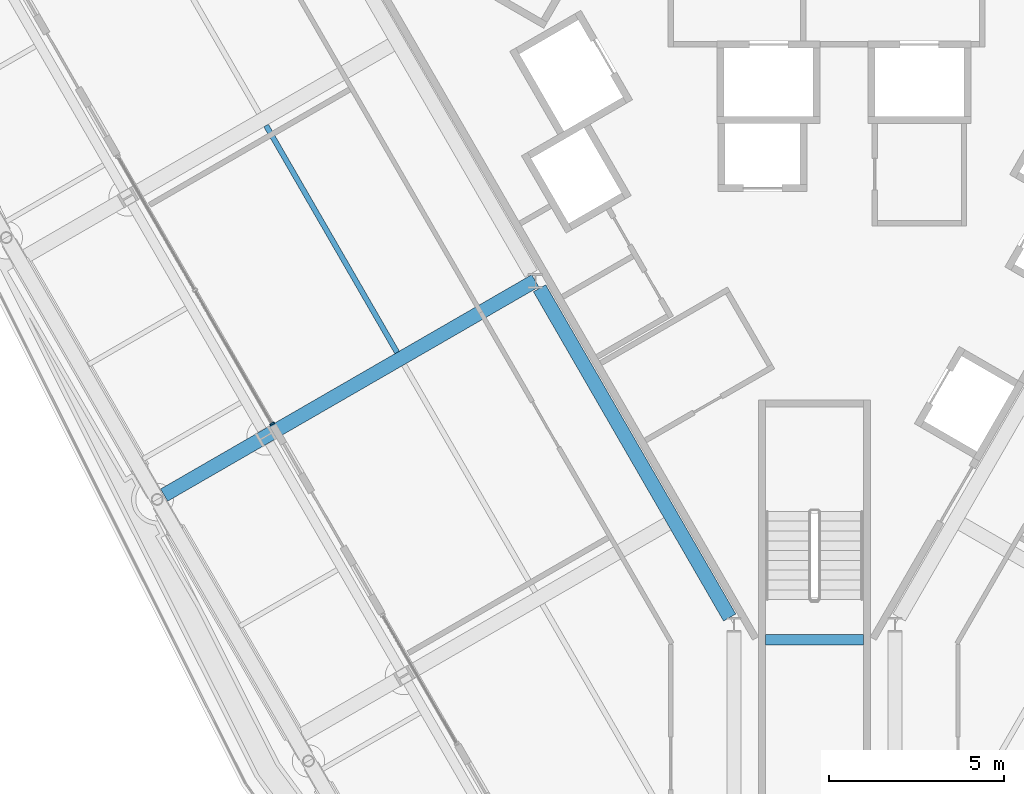
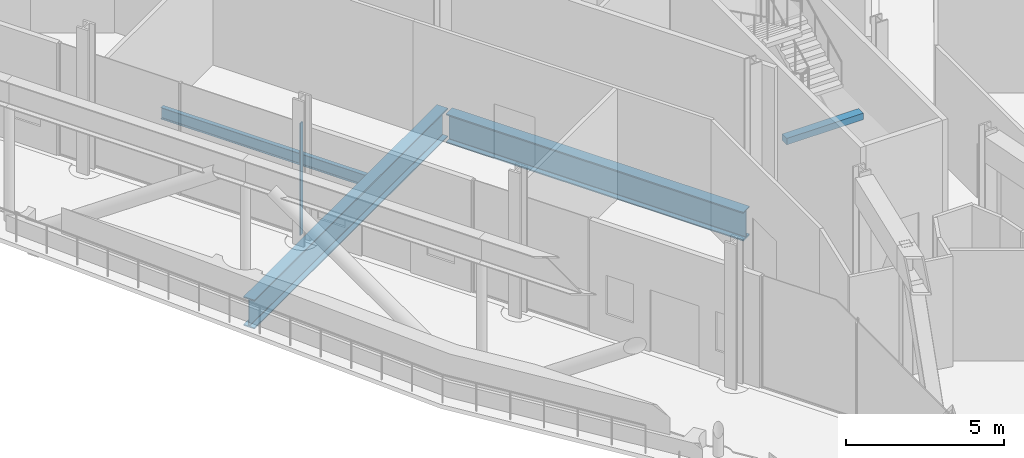
# One storey, part 7 of 26: 4 beams, 1 member, 1 element without a shape of its own.
"""IFC4 building model written with IfcOpenShell, lengths in metres."""

from ifc_helpers import new_model, si_unit, direction, frame, origin, origin_2d, place, context, subcontext, project, spatial, rectangle, i_section, extrude, material, material_profile, profile_set, type_object, element, aggregate, save


model = new_model("IFC4")

# Units and contexts
model_context = context("Model", 3, precision=1e-05, world=origin(), true_north=direction((0.0, 1.0)))
body_context = subcontext(model_context, "Body", "Model", "MODEL_VIEW")
ifc_project = project(units=[si_unit("LENGTHUNIT", "METRE"), si_unit("AREAUNIT", "SQUARE_METRE"), si_unit("VOLUMEUNIT", "CUBIC_METRE"), si_unit("PLANEANGLEUNIT", "RADIAN"), si_unit("MASSUNIT", "GRAM", prefix="KILO")], contexts=[model_context])

# Site, building, storey
site_placement = place(None, origin())
site = spatial("IfcSite", under=ifc_project, at=site_placement, CompositionType="ELEMENT")
building_placement = place(site_placement, origin())
building = spatial("IfcBuilding", under=site, at=building_placement, Name="Verrane Prism Tower", CompositionType="ELEMENT")
storey_placement = place(building_placement, frame((0.0, 0.0, 87.199951171875)))
storey = spatial("IfcBuildingStorey", under=building, at=storey_placement, Name="L20", CompositionType="ELEMENT", Elevation=87.199951171875)

# Beam
ifc_material_1 = material(Name="Steel A992", Category="steel")
ifc_material_profile_1 = material_profile(ifc_material_1, i_section(OverallWidth=0.15234375, OverallDepth=0.449462890625, WebThickness=0.007568359375, FlangeThickness=0.0107421875, FilletRadius=0.01025390625, at=origin_2d()), Name="W18x35")
ifc_profile_set_1 = profile_set([ifc_material_profile_1], Name="Steel A992")
beam_type_1 = type_object("IfcBeamType", Name="Floor beam W18x35", PredefinedType="BEAM", material=ifc_profile_set_1)
beam_1_placement = place(storey_placement, frame((-11.91748046875, -6.64306640625, -0.384765625), z_axis=(-0.500004786058, 0.866022640535, 0.0), x_axis=(-0.866022640535, -0.500004786058, 0.0)))
element("IfcBeam", 1, at=beam_1_placement, inside=storey, type_object=beam_type_1, Name="Floor beam L20", PredefinedType="BEAM", context=body_context, shape_type="SweptSolid", body=[
    extrude(i_section(OverallWidth=0.15234375, OverallDepth=0.449462890625, WebThickness=0.007568359375, FlangeThickness=0.0107421875, FilletRadius=0.01025390625, at=origin_2d()), origin(), (0.0, 0.0, 1.0), 7.4853515625),
])

# Curtain wall, member
ifc_material_2 = material(Name="Aluminium framed insulated glazing", Category="aluminium")
curtain_wall_type = type_object("IfcCurtainWallType", Name="Curtain wall CW-C 4200 module", PredefinedType="NOTDEFINED", material=ifc_material_2)
curtain_wall_placement = place(storey_placement, origin())
curtain_wall = element("IfcCurtainWall", 2, at=curtain_wall_placement, inside=storey, type_object=curtain_wall_type, Name="Refuge lounge glazing south-west face L20 2", PredefinedType="NOTDEFINED")
ifc_material_3 = material(Name="Aluminium alloy 6063-T6", Category="aluminium")
ifc_material_profile_2 = material_profile(ifc_material_3, rectangle(XDim=0.139892578125, YDim=0.050048828125, at=origin_2d()), Name="Mullion 50x140 aluminium")
ifc_profile_set_2 = profile_set([ifc_material_profile_2], Name="Aluminium alloy 6063-T6")
member_type = type_object("IfcMemberType", Name="Mullion 50x140 aluminium", PredefinedType="MULLION", material=ifc_profile_set_2)
member_placement = place(storey_placement, frame((-15.48681640625, -8.677978515625, 0.0), z_axis=(0.0, 0.0, 1.0), x_axis=(0.866026283839, 0.499998475697, 0.0)))
member = element("IfcMember", 3, at=member_placement, type_object=member_type, Name="CW20.4.2 mullion 3", PredefinedType="MULLION", context=body_context, shape_type="SweptSolid", body=[
    extrude(rectangle(XDim=0.139892578125, YDim=0.050048828125, at=origin_2d()), origin(), (0.0, 0.0, 1.0), 4.322509765625),
])
aggregate(curtain_wall, [member])

# Beams
ifc_material_4 = material(Name="Concrete C40/50", Category="concrete")
ifc_material_profile_3 = material_profile(ifc_material_4, rectangle(XDim=0.300048828125, YDim=0.25, at=origin_2d()), Name="RC 300x250")
ifc_profile_set_3 = profile_set([ifc_material_profile_3], Name="Concrete C40/50")
beam_type_2 = type_object("IfcBeamType", Name="Stair landing trimmer beam 300x250 concrete C40/50", PredefinedType="BEAM", material=ifc_profile_set_3)
beam_2_placement = place(storey_placement, frame((1.39990234375, -14.85009765625, 2.47509765625), z_axis=(-1.0, 0.0, 0.0), x_axis=(0.0, -1.0, 0.0)))
element("IfcBeam", 4, at=beam_2_placement, inside=storey, type_object=beam_type_2, Name="Stair 3 landing trimmer beam", PredefinedType="BEAM", context=body_context, shape_type="SweptSolid", body=[
    extrude(rectangle(XDim=0.300048828125, YDim=0.25, at=origin_2d()), origin(), (0.0, 0.0, 1.0), 2.7998046875),
])
ifc_material_5 = material(Name="Steel A992", Category="steel")
ifc_material_profile_4 = material_profile(ifc_material_5, i_section(OverallWidth=0.40380859375, OverallDepth=1.11767578125, WebThickness=0.026123046875, FlangeThickness=0.044921875, FilletRadius=0.02001953125, at=origin_2d()), Name="W44x335")
ifc_profile_set_4 = profile_set([ifc_material_profile_4], Name="Steel A992")
beam_type_3 = type_object("IfcBeamType", Name="Transfer girder W44x335", PredefinedType="BEAM", material=ifc_profile_set_4)
beam_3_placement = place(storey_placement, frame((-7.849609375, -4.808349609375, -0.808837890625), z_axis=(0.500013103396, -0.866017838403, 0.0), x_axis=(0.866017838403, 0.500013103396, 0.0)))
element("IfcBeam", 5, at=beam_3_placement, inside=storey, type_object=beam_type_3, Name="Transfer girder L20", PredefinedType="BEAM", context=body_context, shape_type="SweptSolid", body=[
    extrude(i_section(OverallWidth=0.40380859375, OverallDepth=1.11767578125, WebThickness=0.026123046875, FlangeThickness=0.044921875, FilletRadius=0.02001953125, at=origin_2d()), origin(), (0.0, 0.0, 1.0), 10.858154296875),
])
beam_4_placement = place(storey_placement, frame((-18.572998046875, -10.716064453125, -0.71875), z_axis=(0.866021505988, 0.50000675112, 0.0), x_axis=(-0.50000675112, 0.866021505988, 0.0)))
element("IfcBeam", 6, at=beam_4_placement, inside=storey, type_object=beam_type_3, Name="Transfer girder L20", PredefinedType="BEAM", context=body_context, shape_type="SweptSolid", body=[
    extrude(i_section(OverallWidth=0.40380859375, OverallDepth=1.11767578125, WebThickness=0.026123046875, FlangeThickness=0.044921875, FilletRadius=0.02001953125, at=origin_2d()), origin(), (0.0, 0.0, 1.0), 12.240478515625),
])

save(model, "model.ifc")
